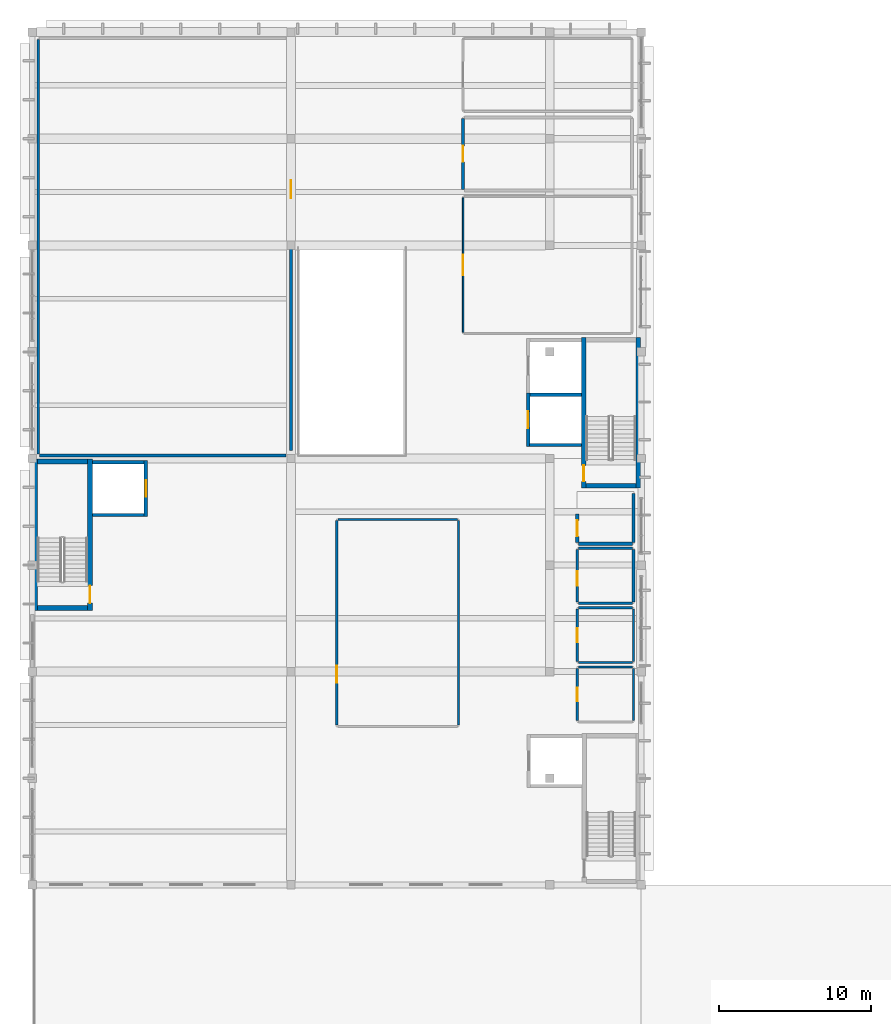
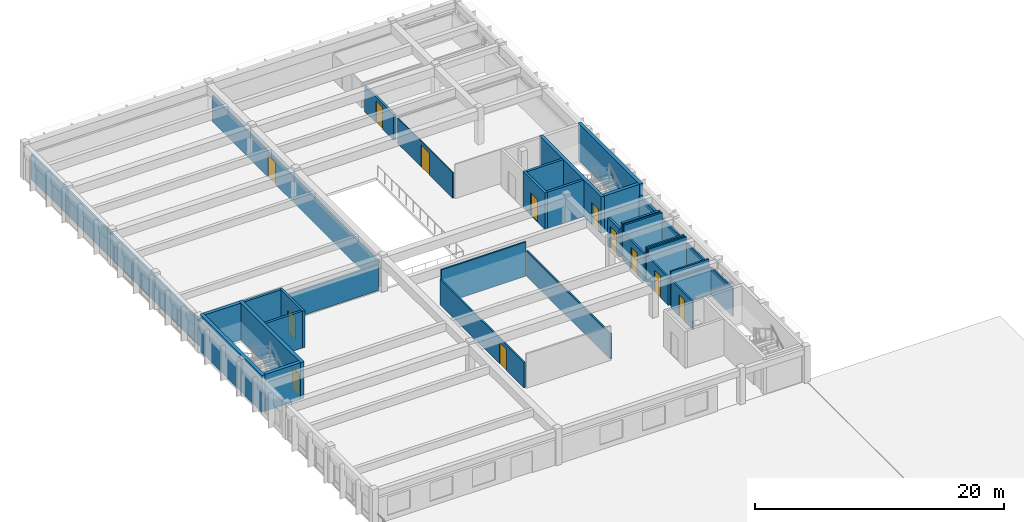
# One storey, part 16 of 23: 35 walls, 12 doors, 12 openings.
"""IFC4 building model written with IfcOpenShell, lengths in metres."""

import ifcopenshell
import ifcopenshell.guid

model = None  # the IFC model being written
_history = None  # IfcOwnerHistory: only IFC2X3 demands one
_inside = {}  # id of a spatial element -> (the spatial element, [elements in it])
_under = {}  # id of a project, library or spatial element -> (it, [spatial elements below it])
_declared = {}  # id of a project -> (the project, [libraries it declares])
_typed = {}  # id of a type object -> (the type object, [elements of that type])
_made_of = {}  # id of a material, layer set ... -> (it, [elements and type objects made of it])


def new_model(schema):
    """Start an empty IFC model of exactly this schema.

    Asked for "IFC4X3", IfcOpenShell would pick the latest addendum, in which some entities
    have other attributes; the version numbers below select the first issue.
    IFC2X3 requires an IfcOwnerHistory on every rooted entity: one is made here for all.
    """
    global model, _history
    if schema == "IFC4X3":
        model = ifcopenshell.file(schema_version=(4, 3, 0, 0))
    else:
        model = ifcopenshell.file(schema=schema)
    _inside.clear()
    _under.clear()
    _declared.clear()
    _typed.clear()
    _made_of.clear()
    _history = None
    if model.schema == "IFC2X3":
        org = make("IfcOrganization", Name="unknown")
        user = make(
            "IfcPersonAndOrganization",
            ThePerson=make("IfcPerson", FamilyName="unknown"),
            TheOrganization=org,
        )
        app = make(
            "IfcApplication",
            ApplicationDeveloper=org,
            Version="unknown",
            ApplicationFullName="unknown",
            ApplicationIdentifier="unknown",
        )
        _history = make(
            "IfcOwnerHistory",
            OwningUser=user,
            OwningApplication=app,
            ChangeAction="ADDED",
            CreationDate=0,
        )
    return model


def make(cls, **values):
    """One entity of the class cls with the attributes given. An attribute that is None is left unset."""
    return model.create_entity(
        cls, **{name: value for name, value in values.items() if value is not None}
    )


def rooted(cls, **values):
    """An entity with a GlobalId (a new one), such as an element, a storey or a relation."""
    return make(cls, GlobalId=ifcopenshell.guid.new(), OwnerHistory=_history, **values)


def si_unit(unit_type, name, prefix=None):
    """IfcSIUnit, for example si_unit("LENGTHUNIT", "METRE", prefix="MILLI")."""
    return make("IfcSIUnit", UnitType=unit_type, Prefix=prefix, Name=name)


def assignment(units):
    """IfcUnitAssignment: the units of a project."""
    return None if units is None else make("IfcUnitAssignment", Units=units)


def point(xyz):
    """IfcCartesianPoint."""
    return None if xyz is None else make("IfcCartesianPoint", Coordinates=xyz)


def direction(xyz):
    """IfcDirection."""
    return None if xyz is None else make("IfcDirection", DirectionRatios=xyz)


def frame(location, z_axis=None, x_axis=None):
    """IfcAxis2Placement3D, a coordinate frame: its origin and axes. An axis left out is left unset."""
    return make(
        "IfcAxis2Placement3D",
        Location=point(location),
        Axis=direction(z_axis),
        RefDirection=direction(x_axis),
    )


def frame_2d(location, x_axis=None):
    """IfcAxis2Placement2D, a coordinate frame in the plane: its origin and x axis."""
    return make(
        "IfcAxis2Placement2D", Location=point(location), RefDirection=direction(x_axis)
    )


def origin():
    """The frame at (0, 0, 0) with its axes left unset."""
    return frame((0.0, 0.0, 0.0))


def place(relative_to, where):
    """IfcLocalPlacement: puts the frame where relative to a parent placement (None: the world)."""
    return make(
        "IfcLocalPlacement", PlacementRelTo=relative_to, RelativePlacement=where
    )


def context(
    kind, dimensions, precision=None, world=None, true_north=None, identifier=None
):
    """IfcGeometricRepresentationContext, for example the 3D "Model" context."""
    return make(
        "IfcGeometricRepresentationContext",
        ContextIdentifier=identifier,
        ContextType=kind,
        CoordinateSpaceDimension=dimensions,
        Precision=precision,
        WorldCoordinateSystem=world,
        TrueNorth=true_north,
    )


def subcontext(parent, identifier, kind, view, scale=None):
    """IfcGeometricRepresentationSubContext, for example "Body" below "Model"."""
    return make(
        "IfcGeometricRepresentationSubContext",
        ContextIdentifier=identifier,
        ContextType=kind,
        ParentContext=parent,
        TargetScale=scale,
        TargetView=view,
    )


def project(units=None, contexts=None):
    """IfcProject with its units and contexts."""
    return rooted(
        "IfcProject",
        Name="project",
        RepresentationContexts=contexts,
        UnitsInContext=assignment(units),
    )


def spatial(cls, under=None, at=None, **own):
    """A site, building, storey or space (cls), placed at a placement, below another one or the project."""
    s = rooted(cls, ObjectPlacement=at, **own)
    if under is not None:
        _under.setdefault(under.id(), (under, []))[1].append(s)
    return s


def profile(cls, at=None, kind="AREA", **sizes):
    """A parametric profile (cls). Its sizes go by their IFC names, for example OverallWidth=200.0."""
    return make(cls, ProfileType=kind, Position=at, **sizes)


def rectangle(**sizes):
    """IfcRectangleProfileDef."""
    return profile("IfcRectangleProfileDef", **sizes)


def extrude(swept, where, along, depth):
    """IfcExtrudedAreaSolid: the profile swept, set in the frame where, extruded along a direction by depth."""
    return make(
        "IfcExtrudedAreaSolid",
        SweptArea=swept,
        Position=where,
        ExtrudedDirection=direction(along),
        Depth=depth,
    )


def shape(context_of_items, identifier, shape_type, items):
    """IfcShapeRepresentation: the items that make up one representation, for example the "Body"."""
    return make(
        "IfcShapeRepresentation",
        ContextOfItems=context_of_items,
        RepresentationIdentifier=identifier,
        RepresentationType=shape_type,
        Items=items,
    )


def material(Name=None, Category=None):
    """IfcMaterial."""
    return make("IfcMaterial", Name=Name, Category=Category)


def layer(
    of_material, thickness, ventilated=None, Name=None, Category=None, Priority=None
):
    """IfcMaterialLayer: one layer of a wall or slab, of a material (None: an air gap)."""
    return make(
        "IfcMaterialLayer",
        Material=of_material,
        LayerThickness=thickness,
        IsVentilated=ventilated,
        Name=Name,
        Category=Category,
        Priority=Priority,
    )


def layer_set(layers, Name=None):
    """IfcMaterialLayerSet."""
    return make("IfcMaterialLayerSet", MaterialLayers=layers, LayerSetName=Name)


def made_of(thing, what):
    """Note that an element or type object is made of a material, layer set ...; save() writes the relation."""
    if what is not None:
        _made_of.setdefault(what.id(), (what, []))[1].append(thing)
    return thing


def type_object(cls, material=None, **own):
    """A type object (cls), such as IfcWallType, which elements share."""
    return made_of(rooted(cls, **own), material)


def element(
    cls,
    number,
    at=None,
    inside=None,
    cuts=None,
    type_object=None,
    material=None,
    context=None,
    identifier="Body",
    shape_type=None,
    held_by="IfcProductDefinitionShape",
    body=None,
    shapes=None,
    **own,
):
    """One element of the class cls, such as IfcWall. Its Tag is "e" and its number.

    at: its placement. inside: the storey or other place that contains it. cuts: it is an
    opening in that element (IfcRelVoidsElement). A single representation is given by context,
    identifier, shape_type and body (its items); several are given by shapes. held_by: the class
    of the entity that holds the representations. save() writes the other relations.
    """
    e = rooted(cls, Tag="e%d" % number, ObjectPlacement=at, **own)
    if body is not None:
        shapes = [shape(context, identifier, shape_type, body)]
    if shapes is not None:
        e.Representation = make(held_by, Representations=shapes)
    if inside is not None:
        _inside.setdefault(inside.id(), (inside, []))[1].append(e)
    if cuts is not None:
        rooted(
            "IfcRelVoidsElement", RelatingBuildingElement=cuts, RelatedOpeningElement=e
        )
    if type_object is not None:
        _typed.setdefault(type_object.id(), (type_object, []))[1].append(e)
    return made_of(e, material)


def fill(opening, filler):
    """IfcRelFillsElement: the door or window that sits in an opening."""
    return rooted(
        "IfcRelFillsElement",
        RelatingOpeningElement=opening,
        RelatedBuildingElement=filler,
    )


def aggregate(whole, parts):
    """IfcRelAggregates: a whole, such as a stair, and the parts it consists of."""
    return rooted("IfcRelAggregates", RelatingObject=whole, RelatedObjects=parts)


def save(model, path):
    """Write the relations noted so far, then the file.

    IfcRelAggregates (storeys below a building ...), IfcRelContainedInSpatialStructure (elements
    in a storey), IfcRelDefinesByType, IfcRelAssociatesMaterial and IfcRelDeclares: one each for
    every whole, place, type object, material and project.
    """
    for whole, parts in _under.values():
        aggregate(whole, parts)
    for where, things in _inside.values():
        rooted(
            "IfcRelContainedInSpatialStructure",
            RelatedElements=things,
            RelatingStructure=where,
        )
    for kind, things in _typed.values():
        rooted("IfcRelDefinesByType", RelatedObjects=things, RelatingType=kind)
    for what, things in _made_of.values():
        rooted("IfcRelAssociatesMaterial", RelatedObjects=things, RelatingMaterial=what)
    for by, libraries in _declared.values():
        rooted("IfcRelDeclares", RelatingContext=by, RelatedDefinitions=libraries)
    model.write(path)


model = new_model("IFC4")

# Units and contexts
model_context = context("Model", 3, precision=1e-05, world=origin(), true_north=direction((0.0, 1.0)))
body_context = subcontext(model_context, "Body", "Model", "MODEL_VIEW")
ifc_project = project(units=[si_unit("LENGTHUNIT", "METRE"), si_unit("AREAUNIT", "SQUARE_METRE"), si_unit("VOLUMEUNIT", "CUBIC_METRE"), si_unit("PLANEANGLEUNIT", "RADIAN"), si_unit("MASSUNIT", "GRAM", prefix="KILO")], contexts=[model_context])

# Site, building, storey
site_placement = place(None, origin())
site = spatial("IfcSite", under=ifc_project, at=site_placement, CompositionType="ELEMENT")
building_placement = place(site_placement, origin())
building = spatial("IfcBuilding", under=site, at=building_placement, Name="Larkveld Mobility Hub", CompositionType="ELEMENT")
storey_placement = place(building_placement, frame((0.0, 0.0, 19.199951171875)))
storey = spatial("IfcBuildingStorey", under=building, at=storey_placement, Name="L05", CompositionType="ELEMENT", Elevation=19.199951171875)

# Wall, opening, door
ifc_material_1 = material(Name="Concrete blockwork masonry 14 MPa", Category="masonry")
ifc_layer_1 = layer(ifc_material_1, 0.10009765625, Name="Concrete blockwork masonry 14 MPa", Category="masonry")
ifc_layer_set_1 = layer_set([ifc_layer_1], Name="Concrete blockwork masonry 14 MPa")
wall_type_1 = type_object("IfcWallType", Name="WL-PRT-100", PredefinedType="PARTITIONING", material=ifc_layer_set_1)
wall_1_placement = place(storey_placement, frame((140.300048828125, 64.280029296875, 0.0), z_axis=(0.0, 0.0, 1.0), x_axis=(0.0, 1.0, 0.0)))
wall_1 = element("IfcWall", 1, at=wall_1_placement, inside=storey, type_object=wall_type_1, Name="Community Aerobic and Fitness Studio Partition 0265", PredefinedType="PARTITIONING", context=body_context, shape_type="SweptSolid", body=[
    extrude(rectangle(XDim=8.8349609375, YDim=0.10009765625, at=frame_2d((4.41748046875, 0.0))), origin(), (0.0, 0.0, 1.0), 2.4951171875),
])
opening_1_placement = place(wall_1_placement, frame((3.741943359375, 0.0, 0.0)))
opening_1 = element("IfcOpeningElement", 2, at=opening_1_placement, cuts=wall_1, Name="Opening DI07", PredefinedType="OPENING", context=body_context, shape_type="SweptSolid", body=[
    extrude(rectangle(XDim=1.35009765625, YDim=2.14990234375, at=frame_2d((0.675048828125, 1.074951171875))), frame((0.0, 0.06005859375, 0.0), z_axis=(0.0, -1.0, 0.0), x_axis=(1.0, 0.0, 0.0)), (0.0, 0.0, 1.0), 0.1201171875),
])
ifc_material_2 = material(Name="Solid-core hardwood timber door in aluminium frame", Category="wood")
door_type_1 = type_object("IfcDoorType", Name="DR-INT-135", OperationType="NOTDEFINED", PredefinedType="DOOR", material=ifc_material_2)
door_1_placement = place(opening_1_placement, origin())
door_1 = element("IfcDoor", 3, at=door_1_placement, inside=storey, type_object=door_type_1, Name="Community Aerobic and Fitness Studio Door 0067", OperationType="SINGLE_SWING_RIGHT", OverallHeight=2.14990234375, OverallWidth=1.35009765625, PredefinedType="DOOR", context=body_context, shape_type="SweptSolid", body=[
    extrude(rectangle(XDim=1.35009765625, YDim=2.14990234375, at=frame_2d((0.675048828125, 1.074951171875))), frame((0.0, 0.02490234375, 0.0), z_axis=(0.0, -1.0, 0.0), x_axis=(1.0, 0.0, 0.0)), (0.0, 0.0, 1.0), 0.050048828125),
])
fill(opening_1, door_1)

# Wall
ifc_layer_2 = layer(ifc_material_1, 0.139892578125, Name="Concrete blockwork masonry 14 MPa", Category="masonry")
ifc_layer_set_2 = layer_set([ifc_layer_2], Name="Concrete blockwork masonry 14 MPa")
wall_type_2 = type_object("IfcWallType", Name="WL-PRT-140", PredefinedType="PARTITIONING", material=ifc_layer_set_2)
wall_2_placement = place(storey_placement, frame((147.8798828125, 42.2939453125, 0.0), z_axis=(0.0, 0.0, 1.0), x_axis=(1.0, 0.0, 0.0)))
element("IfcWall", 4, at=wall_2_placement, inside=storey, type_object=wall_type_2, Name="Male Public Toilet Partition 0241", PredefinedType="PARTITIONING", context=body_context, shape_type="SweptSolid", body=[
    extrude(rectangle(XDim=3.5341796875, YDim=0.139892578125, at=frame_2d((1.76708984375, 0.0))), origin(), (0.0, 0.0, 1.0), 2.7451171875),
])

# Wall, opening, door
wall_3_placement = place(storey_placement, frame((147.800048828125, 38.780029296875, 0.0), z_axis=(0.0, 0.0, 1.0), x_axis=(0.0, 1.0, 0.0)))
wall_3 = element("IfcWall", 5, at=wall_3_placement, inside=storey, type_object=wall_type_2, Name="Male Public Toilet Partition 0242", PredefinedType="PARTITIONING", context=body_context, shape_type="SweptSolid", body=[
    extrude(rectangle(XDim=3.43408203125, YDim=0.139892578125, at=frame_2d((1.717041015625, 0.0))), origin(), (0.0, 0.0, 1.0), 2.7451171875),
])
opening_2_placement = place(wall_3_placement, frame((1.26708984375, 0.0, 0.0)))
opening_2 = element("IfcOpeningElement", 6, at=opening_2_placement, cuts=wall_3, Name="Opening DI01", PredefinedType="OPENING", context=body_context, shape_type="SweptSolid", body=[
    extrude(rectangle(XDim=0.89990234375, YDim=2.10009765625, at=frame_2d((0.449951171875, 1.050048828125))), frame((0.0, 0.080078125, 0.0), z_axis=(0.0, -1.0, 0.0), x_axis=(1.0, 0.0, 0.0)), (0.0, 0.0, 1.0), 0.159912109375),
])
door_type_2 = type_object("IfcDoorType", Name="DR-INT-090", OperationType="NOTDEFINED", PredefinedType="DOOR", material=ifc_material_2)
door_2_placement = place(opening_2_placement, origin())
door_2 = element("IfcDoor", 7, at=door_2_placement, inside=storey, type_object=door_type_2, Name="Male Public Toilet Door 0061", OperationType="SINGLE_SWING_RIGHT", OverallHeight=2.10009765625, OverallWidth=0.89990234375, PredefinedType="DOOR", context=body_context, shape_type="SweptSolid", body=[
    extrude(rectangle(XDim=0.89990234375, YDim=2.10009765625, at=frame_2d((0.449951171875, 1.050048828125))), frame((0.0, 0.02490234375, 0.0), z_axis=(0.0, -1.0, 0.0), x_axis=(1.0, 0.0, 0.0)), (0.0, 0.0, 1.0), 0.050048828125),
])
fill(opening_2, door_2)

# Walls
wall_4_placement = place(storey_placement, frame((151.493896484375, 38.780029296875, 0.0), z_axis=(0.0, 0.0, 1.0), x_axis=(0.0, 1.0, 0.0)))
element("IfcWall", 8, at=wall_4_placement, inside=storey, type_object=wall_type_2, Name="Male Public Toilet Partition 0243", PredefinedType="PARTITIONING", context=body_context, shape_type="SweptSolid", body=[
    extrude(rectangle(XDim=3.43408203125, YDim=0.139892578125, at=frame_2d((1.717041015625, 0.0))), origin(), (0.0, 0.0, 1.0), 2.7451171875),
])
wall_5_placement = place(storey_placement, frame((132.080078125, 52.0, 0.0), z_axis=(0.0, 0.0, 1.0), x_axis=(1.0, 0.0, 0.0)))
element("IfcWall", 9, at=wall_5_placement, inside=storey, type_object=wall_type_2, Name="Sports Equipment Rental Shop Partition 0256", PredefinedType="PARTITIONING", context=body_context, shape_type="SweptSolid", body=[
    extrude(rectangle(XDim=7.83984375, YDim=0.139892578125, at=frame_2d((3.919921875, 0.0))), origin(), (0.0, 0.0, 1.0), 3.344970703125),
])

# Wall, opening, door
wall_6_placement = place(storey_placement, frame((132.0, 38.47998046875, 0.0), z_axis=(0.0, 0.0, 1.0), x_axis=(0.0, 1.0, 0.0)))
wall_6 = element("IfcWall", 10, at=wall_6_placement, inside=storey, type_object=wall_type_2, Name="Sports Equipment Rental Shop Partition 0257", PredefinedType="PARTITIONING", context=body_context, shape_type="SweptSolid", body=[
    extrude(rectangle(XDim=13.43994140625, YDim=0.139892578125, at=frame_2d((6.719970703125, 0.0))), origin(), (0.0, 0.0, 1.0), 2.4951171875),
])
opening_3_placement = place(wall_6_placement, frame((2.799072265625, 0.0, 0.0)))
opening_3 = element("IfcOpeningElement", 11, at=opening_3_placement, cuts=wall_6, Name="Opening DI05", PredefinedType="OPENING", context=body_context, shape_type="SweptSolid", body=[
    extrude(rectangle(XDim=1.10009765625, YDim=2.10009765625, at=frame_2d((0.550048828125, 1.050048828125))), frame((0.0, 0.080078125, 0.0), z_axis=(0.0, -1.0, 0.0), x_axis=(1.0, 0.0, 0.0)), (0.0, 0.0, 1.0), 0.159912109375),
])
door_type_3 = type_object("IfcDoorType", Name="DR-INT-110", OperationType="NOTDEFINED", PredefinedType="DOOR", material=ifc_material_2)
door_3_placement = place(opening_3_placement, origin())
door_3 = element("IfcDoor", 12, at=door_3_placement, inside=storey, type_object=door_type_3, Name="Sports Equipment Rental Shop Door 0065", OperationType="SINGLE_SWING_RIGHT", OverallHeight=2.10009765625, OverallWidth=1.10009765625, PredefinedType="DOOR", context=body_context, shape_type="SweptSolid", body=[
    extrude(rectangle(XDim=1.10009765625, YDim=2.10009765625, at=frame_2d((0.550048828125, 1.050048828125))), frame((0.0, 0.02490234375, 0.0), z_axis=(0.0, -1.0, 0.0), x_axis=(1.0, 0.0, 0.0)), (0.0, 0.0, 1.0), 0.050048828125),
])
fill(opening_3, door_3)

# Walls
wall_7_placement = place(storey_placement, frame((140.0, 38.47998046875, 0.0), z_axis=(0.0, 0.0, 1.0), x_axis=(0.0, 1.0, 0.0)))
element("IfcWall", 13, at=wall_7_placement, inside=storey, type_object=wall_type_2, Name="Sports Equipment Rental Shop Partition 0258", PredefinedType="PARTITIONING", context=body_context, shape_type="SweptSolid", body=[
    extrude(rectangle(XDim=13.43994140625, YDim=0.139892578125, at=frame_2d((6.719970703125, 0.0))), origin(), (0.0, 0.0, 1.0), 2.4951171875),
])
ifc_layer_3 = layer(ifc_material_1, 0.14990234375, Name="Concrete blockwork masonry 14 MPa", Category="masonry")
ifc_layer_set_3 = layer_set([ifc_layer_3], Name="Concrete blockwork masonry 14 MPa")
wall_type_3 = type_object("IfcWallType", Name="WL-PRT-150", PredefinedType="PARTITIONING", material=ifc_layer_set_3)
for number, where, z_axis, x_axis, name in (
    (14, (147.8798828125, 42.60009765625, 0.0), (0.0, 0.0, 1.0), (1.0, 0.0, 0.0), "Female Public Toilet Partition 0244"),
    (15, (147.8798828125, 46.194091796875, 0.0), (0.0, 0.0, 1.0), (1.0, 0.0, 0.0), "Female Public Toilet Partition 0245"),
):
    element("IfcWall", number, at=place(storey_placement, frame(where, z_axis=z_axis, x_axis=x_axis)), inside=storey, type_object=wall_type_3, Name=name, PredefinedType="PARTITIONING", context=body_context, shape_type="SweptSolid", body=[
        extrude(rectangle(XDim=3.5341796875, YDim=0.14990234375, at=frame_2d((1.76708984375, 0.0))), origin(), (0.0, 0.0, 1.0), 3.344970703125),
    ])

# Wall, opening, door
wall_8_placement = place(storey_placement, frame((147.800048828125, 42.679931640625, 0.0), z_axis=(0.0, 0.0, 1.0), x_axis=(0.0, 1.0, 0.0)))
wall_8 = element("IfcWall", 16, at=wall_8_placement, inside=storey, type_object=wall_type_3, Name="Female Public Toilet Partition 0246", PredefinedType="PARTITIONING", context=body_context, shape_type="SweptSolid", body=[
    extrude(rectangle(XDim=3.43408203125, YDim=0.14990234375, at=frame_2d((1.717041015625, 0.0))), origin(), (0.0, 0.0, 1.0), 2.755126953125),
])
opening_4_placement = place(wall_8_placement, frame((1.26708984375, 0.0, 0.0)))
opening_4 = element("IfcOpeningElement", 17, at=opening_4_placement, cuts=wall_8, Name="Opening DI01", PredefinedType="OPENING", context=body_context, shape_type="SweptSolid", body=[
    extrude(rectangle(XDim=0.89990234375, YDim=2.10009765625, at=frame_2d((0.449951171875, 1.050048828125))), frame((0.0, 0.0849609375, 0.0), z_axis=(0.0, -1.0, 0.0), x_axis=(1.0, 0.0, 0.0)), (0.0, 0.0, 1.0), 0.169921875),
])
door_4_placement = place(opening_4_placement, origin())
door_4 = element("IfcDoor", 18, at=door_4_placement, inside=storey, type_object=door_type_2, Name="Female Public Toilet Door 0062", OperationType="SINGLE_SWING_LEFT", OverallHeight=2.10009765625, OverallWidth=0.89990234375, PredefinedType="DOOR", context=body_context, shape_type="SweptSolid", body=[
    extrude(rectangle(XDim=0.89990234375, YDim=2.10009765625, at=frame_2d((0.449951171875, 1.050048828125))), frame((0.0, 0.02490234375, 0.0), z_axis=(0.0, -1.0, 0.0), x_axis=(1.0, 0.0, 0.0)), (0.0, 0.0, 1.0), 0.050048828125),
])
fill(opening_4, door_4)

# Walls
wall_9_placement = place(storey_placement, frame((151.493896484375, 42.679931640625, 0.0), z_axis=(0.0, 0.0, 1.0), x_axis=(0.0, 1.0, 0.0)))
element("IfcWall", 19, at=wall_9_placement, inside=storey, type_object=wall_type_3, Name="Female Public Toilet Partition 0247", PredefinedType="PARTITIONING", context=body_context, shape_type="SweptSolid", body=[
    extrude(rectangle(XDim=3.43408203125, YDim=0.14990234375, at=frame_2d((1.717041015625, 0.0))), origin(), (0.0, 0.0, 1.0), 2.755126953125),
])
ifc_layer_4 = layer(ifc_material_1, 0.1650390625, Name="Concrete blockwork masonry 14 MPa", Category="masonry")
ifc_layer_set_4 = layer_set([ifc_layer_4], Name="Concrete blockwork masonry 14 MPa")
wall_type_4 = type_object("IfcWallType", Name="WL-PRT-165", PredefinedType="PARTITIONING", material=ifc_layer_set_4)
for number, where, z_axis, x_axis, name in (
    (20, (147.8798828125, 46.5, 0.0), (0.0, 0.0, 1.0), (1.0, 0.0, 0.0), "Accessible Unisex Toilet Partition 0248"),
    (21, (147.8798828125, 50.093994140625, 0.0), (0.0, 0.0, 1.0), (1.0, 0.0, 0.0), "Accessible Unisex Toilet Partition 0249"),
):
    element("IfcWall", number, at=place(storey_placement, frame(where, z_axis=z_axis, x_axis=x_axis)), inside=storey, type_object=wall_type_4, Name=name, PredefinedType="PARTITIONING", context=body_context, shape_type="SweptSolid", body=[
        extrude(rectangle(XDim=3.5341796875, YDim=0.1650390625, at=frame_2d((1.76708984375, 0.0))), origin(), (0.0, 0.0, 1.0), 3.344970703125),
    ])

# Wall, opening, door
wall_10_placement = place(storey_placement, frame((147.800048828125, 46.580078125, 0.0), z_axis=(0.0, 0.0, 1.0), x_axis=(0.0, 1.0, 0.0)))
wall_10 = element("IfcWall", 22, at=wall_10_placement, inside=storey, type_object=wall_type_4, Name="Accessible Unisex Toilet Partition 0250", PredefinedType="PARTITIONING", context=body_context, shape_type="SweptSolid", body=[
    extrude(rectangle(XDim=3.433837890625, YDim=0.1650390625, at=frame_2d((1.716796875, 0.0))), origin(), (0.0, 0.0, 1.0), 2.7451171875),
])
opening_5_placement = place(wall_10_placement, frame((1.06689453125, 0.0, 0.0)))
opening_5 = element("IfcOpeningElement", 23, at=opening_5_placement, cuts=wall_10, Name="Opening DI02", PredefinedType="OPENING", context=body_context, shape_type="SweptSolid", body=[
    extrude(rectangle(XDim=0.949951171875, YDim=2.10009765625, at=frame_2d((0.47509765625, 1.050048828125))), frame((0.0, 0.092529296875, 0.0), z_axis=(0.0, -1.0, 0.0), x_axis=(1.0, 0.0, 0.0)), (0.0, 0.0, 1.0), 0.18505859375),
])
door_type_4 = type_object("IfcDoorType", Name="DR-INT-095", OperationType="NOTDEFINED", PredefinedType="DOOR", material=ifc_material_2)
door_5_placement = place(opening_5_placement, origin())
door_5 = element("IfcDoor", 24, at=door_5_placement, inside=storey, type_object=door_type_4, Name="Accessible Unisex Toilet Door 0063", OperationType="SINGLE_SWING_RIGHT", OverallHeight=2.10009765625, OverallWidth=0.949951171875, PredefinedType="DOOR", context=body_context, shape_type="SweptSolid", body=[
    extrude(rectangle(XDim=0.949951171875, YDim=2.10009765625, at=frame_2d((0.47509765625, 1.050048828125))), frame((0.0, 0.02490234375, 0.0), z_axis=(0.0, -1.0, 0.0), x_axis=(1.0, 0.0, 0.0)), (0.0, 0.0, 1.0), 0.050048828125),
])
fill(opening_5, door_5)

# Walls
wall_11_placement = place(storey_placement, frame((151.493896484375, 46.580078125, 0.0), z_axis=(0.0, 0.0, 1.0), x_axis=(0.0, 1.0, 0.0)))
element("IfcWall", 25, at=wall_11_placement, inside=storey, type_object=wall_type_4, Name="Accessible Unisex Toilet Partition 0251", PredefinedType="PARTITIONING", context=body_context, shape_type="SweptSolid", body=[
    extrude(rectangle(XDim=3.433837890625, YDim=0.1650390625, at=frame_2d((1.716796875, 0.0))), origin(), (0.0, 0.0, 1.0), 2.7451171875),
])
ifc_layer_5 = layer(ifc_material_1, 0.175048828125, Name="Concrete blockwork masonry 14 MPa", Category="masonry")
ifc_layer_set_5 = layer_set([ifc_layer_5], Name="Concrete blockwork masonry 14 MPa")
wall_type_5 = type_object("IfcWallType", Name="WL-PRT-175", PredefinedType="PARTITIONING", material=ifc_layer_set_5)
wall_12_placement = place(storey_placement, frame((112.47998046875, 56.199951171875, 0.0), z_axis=(0.0, 0.0, 1.0), x_axis=(1.0, 0.0, 0.0)))
element("IfcWall", 26, at=wall_12_placement, inside=storey, type_object=wall_type_5, Name="Indoor Community Multi-Sport Hall Partition 0259", PredefinedType="PARTITIONING", context=body_context, shape_type="SweptSolid", body=[
    extrude(rectangle(XDim=16.201904296875, YDim=0.175048828125, at=frame_2d((8.10107421875, 0.0))), origin(), (0.0, 0.0, 1.0), 2.4951171875),
])
wall_13_placement = place(storey_placement, frame((112.39990234375, 56.280029296875, 0.0), z_axis=(0.0, 0.0, 1.0), x_axis=(0.0, 1.0, 0.0)))
element("IfcWall", 27, at=wall_13_placement, inside=storey, type_object=wall_type_5, Name="Indoor Community Multi-Sport Hall Partition 0261", PredefinedType="PARTITIONING", context=body_context, shape_type="SweptSolid", body=[
    extrude(rectangle(XDim=27.237060546875, YDim=0.175048828125, at=frame_2d((13.61865234375, 0.0))), origin(), (0.0, 0.0, 1.0), 2.4951171875),
])

# Wall, opening, door
wall_14_placement = place(storey_placement, frame((128.9970703125, 56.514892578125, 0.0), z_axis=(0.0, 0.0, 1.0), x_axis=(0.0, 1.0, 0.0)))
wall_14 = element("IfcWall", 28, at=wall_14_placement, inside=storey, type_object=wall_type_5, Name="Indoor Community Multi-Sport Hall Partition 0262", PredefinedType="PARTITIONING", context=body_context, shape_type="SweptSolid", body=[
    extrude(rectangle(XDim=26.76708984375, YDim=0.175048828125, at=frame_2d((13.383544921875, 0.0))), origin(), (0.0, 0.0, 1.0), 2.4951171875),
])
opening_6_placement = place(wall_14_placement, frame((16.573974609375, 0.0, 0.0)))
opening_6 = element("IfcOpeningElement", 29, at=opening_6_placement, cuts=wall_14, Name="Opening DI06", PredefinedType="OPENING", context=body_context, shape_type="SweptSolid", body=[
    extrude(rectangle(XDim=1.199951171875, YDim=2.14990234375, at=frame_2d((0.60009765625, 1.074951171875))), frame((0.0, 0.09765625, 0.0), z_axis=(0.0, -1.0, 0.0), x_axis=(1.0, 0.0, 0.0)), (0.0, 0.0, 1.0), 0.195068359375),
])
door_type_5 = type_object("IfcDoorType", Name="DR-INT-120", OperationType="NOTDEFINED", PredefinedType="DOOR", material=ifc_material_2)
door_6_placement = place(opening_6_placement, origin())
door_6 = element("IfcDoor", 30, at=door_6_placement, inside=storey, type_object=door_type_5, Name="Indoor Community Multi-Sport Hall Door 0066", OperationType="SINGLE_SWING_LEFT", OverallHeight=2.14990234375, OverallWidth=1.199951171875, PredefinedType="DOOR", context=body_context, shape_type="SweptSolid", body=[
    extrude(rectangle(XDim=1.199951171875, YDim=2.14990234375, at=frame_2d((0.60009765625, 1.074951171875))), frame((0.0, 0.02490234375, 0.0), z_axis=(0.0, -1.0, 0.0), x_axis=(1.0, 0.0, 0.0)), (0.0, 0.0, 1.0), 0.050048828125),
])
fill(opening_6, door_6)

# Wall
ifc_layer_6 = layer(ifc_material_1, 0.2099609375, Name="Concrete blockwork masonry 14 MPa", Category="masonry")
ifc_layer_set_6 = layer_set([ifc_layer_6], Name="Concrete blockwork masonry 14 MPa")
wall_type_6 = type_object("IfcWallType", Name="WL-PRT-210", PredefinedType="PARTITIONING", material=ifc_layer_set_6)
wall_15_placement = place(storey_placement, frame((147.8798828125, 50.39990234375, 0.0), z_axis=(0.0, 0.0, 1.0), x_axis=(1.0, 0.0, 0.0)))
element("IfcWall", 31, at=wall_15_placement, inside=storey, type_object=wall_type_6, Name="Cleaners Store Room Partition 0252", PredefinedType="PARTITIONING", context=body_context, shape_type="SweptSolid", body=[
    extrude(rectangle(XDim=3.5341796875, YDim=0.2099609375, at=frame_2d((1.76708984375, 0.0))), origin(), (0.0, 0.0, 1.0), 3.344970703125),
])

# Wall, opening, door
wall_16_placement = place(storey_placement, frame((147.800048828125, 50.47998046875, 0.0), z_axis=(0.0, 0.0, 1.0), x_axis=(0.0, 1.0, 0.0)))
wall_16 = element("IfcWall", 32, at=wall_16_placement, inside=storey, type_object=wall_type_6, Name="Cleaners Store Room Partition 0253", PredefinedType="PARTITIONING", context=body_context, shape_type="SweptSolid", body=[
    extrude(rectangle(XDim=1.864013671875, YDim=0.2099609375, at=frame_2d((0.93212890625, 0.0))), origin(), (0.0, 0.0, 1.0), 2.755126953125),
])
opening_7_placement = place(wall_16_placement, frame((0.406982421875, 0.0, 0.0)))
opening_7 = element("IfcOpeningElement", 33, at=opening_7_placement, cuts=wall_16, Name="Opening DF02", PredefinedType="OPENING", context=body_context, shape_type="SweptSolid", body=[
    extrude(rectangle(XDim=1.050048828125, YDim=2.14990234375, at=frame_2d((0.52490234375, 1.074951171875))), frame((0.0, 0.114990234375, 0.0), z_axis=(0.0, -1.0, 0.0), x_axis=(1.0, 0.0, 0.0)), (0.0, 0.0, 1.0), 0.22998046875),
])
ifc_material_3 = material(Name="Pressed Steel S355JR fire door assembly", Category="steel")
door_type_6 = type_object("IfcDoorType", Name="DR-FD60", OperationType="NOTDEFINED", PredefinedType="DOOR", material=ifc_material_3)
door_7_placement = place(opening_7_placement, origin())
door_7 = element("IfcDoor", 34, at=door_7_placement, inside=storey, type_object=door_type_6, Name="Cleaners Store Room Door 0064", OperationType="SINGLE_SWING_LEFT", OverallHeight=2.14990234375, OverallWidth=1.050048828125, PredefinedType="DOOR", context=body_context, shape_type="SweptSolid", body=[
    extrude(rectangle(XDim=1.050048828125, YDim=2.14990234375, at=frame_2d((0.52490234375, 1.074951171875))), frame((0.0, 0.02490234375, 0.0), z_axis=(0.0, -1.0, 0.0), x_axis=(1.0, 0.0, 0.0)), (0.0, 0.0, 1.0), 0.050048828125),
])
fill(opening_7, door_7)

# Wall
wall_17_placement = place(storey_placement, frame((151.493896484375, 50.47998046875, 0.0), z_axis=(0.0, 0.0, 1.0), x_axis=(0.0, 1.0, 0.0)))
element("IfcWall", 35, at=wall_17_placement, inside=storey, type_object=wall_type_6, Name="Cleaners Store Room Partition 0254", PredefinedType="PARTITIONING", context=body_context, shape_type="SweptSolid", body=[
    extrude(rectangle(XDim=3.234130859375, YDim=0.2099609375, at=frame_2d((1.6171875, 0.0))), origin(), (0.0, 0.0, 1.0), 2.755126953125),
])

# Wall, opening, door
wall_18_placement = place(storey_placement, frame((140.300048828125, 73.679931640625, 0.0), z_axis=(0.0, 0.0, 1.0), x_axis=(0.0, 1.0, 0.0)))
wall_18 = element("IfcWall", 36, at=wall_18_placement, inside=storey, type_object=wall_type_6, Name="Court Equipment and Net Store Partition 0269", PredefinedType="PARTITIONING", context=body_context, shape_type="SweptSolid", body=[
    extrude(rectangle(XDim=4.64013671875, YDim=0.2099609375, at=frame_2d((2.320068359375, 0.0))), origin(), (0.0, 0.0, 1.0), 2.4951171875),
])
opening_8_placement = place(wall_18_placement, frame((1.794921875, 0.0, 0.0)))
opening_8 = element("IfcOpeningElement", 37, at=opening_8_placement, cuts=wall_18, Name="Opening DF02", PredefinedType="OPENING", context=body_context, shape_type="SweptSolid", body=[
    extrude(rectangle(XDim=1.050048828125, YDim=2.14990234375, at=frame_2d((0.52490234375, 1.074951171875))), frame((0.0, 0.114990234375, 0.0), z_axis=(0.0, -1.0, 0.0), x_axis=(1.0, 0.0, 0.0)), (0.0, 0.0, 1.0), 0.22998046875),
])
door_8_placement = place(opening_8_placement, origin())
door_8 = element("IfcDoor", 38, at=door_8_placement, inside=storey, type_object=door_type_6, Name="Court Equipment and Net Store Door 0068", OperationType="SINGLE_SWING_LEFT", OverallHeight=2.14990234375, OverallWidth=1.050048828125, PredefinedType="DOOR", context=body_context, shape_type="SweptSolid", body=[
    extrude(rectangle(XDim=1.050048828125, YDim=2.14990234375, at=frame_2d((0.52490234375, 1.074951171875))), frame((0.0, 0.02490234375, 0.0), z_axis=(0.0, -1.0, 0.0), x_axis=(1.0, 0.0, 0.0)), (0.0, 0.0, 1.0), 0.050048828125),
])
fill(opening_8, door_8)

ifc_material_4 = material(Name="Concrete C40/50", Category="concrete")
ifc_layer_7 = layer(ifc_material_4, 0.219970703125, Name="Concrete C40/50", Category="concrete")
ifc_layer_set_7 = layer_set([ifc_layer_7], Name="Concrete C40/50")
wall_type_7 = type_object("IfcWallType", Name="WL-SHF-220", PredefinedType="SHEAR", material=ifc_layer_set_7)
wall_19_placement = place(storey_placement, frame((144.570068359375, 56.780029296875, 0.0), z_axis=(0.0, 0.0, 1.0), x_axis=(0.0, 1.0, 0.0)))
wall_19 = element("IfcWall", 39, at=wall_19_placement, inside=storey, type_object=wall_type_7, Name="Lift PL1 Shaft Wall L05-W", PredefinedType="SHEAR", context=body_context, shape_type="SweptSolid", body=[
    extrude(rectangle(XDim=3.52001953125, YDim=0.219970703125, at=frame_2d((1.760009765625, 0.0))), origin(), (0.0, 0.0, 1.0), 3.60009765625),
])
opening_9_placement = place(wall_19_placement, frame((1.2099609375, 0.0, 0.0)))
opening_9 = element("IfcOpeningElement", 40, at=opening_9_placement, cuts=wall_19, Name="Opening LD01", PredefinedType="OPENING", context=body_context, shape_type="SweptSolid", body=[
    extrude(rectangle(XDim=1.10009765625, YDim=2.199951171875, at=frame_2d((0.550048828125, 1.10009765625))), frame((0.0, 0.1201171875, 0.0), z_axis=(0.0, -1.0, 0.0), x_axis=(1.0, 0.0, 0.0)), (0.0, 0.0, 1.0), 0.239990234375),
])
ifc_material_5 = material(Name="Brushed stainless Steel S355JR sliding landing door", Category="steel")
door_type_7 = type_object("IfcDoorType", Name="DR-LD-110", OperationType="DOUBLE_DOOR_SLIDING", PredefinedType="DOOR", material=ifc_material_5)
door_9_placement = place(opening_9_placement, origin())
door_9 = element("IfcDoor", 41, at=door_9_placement, inside=storey, type_object=door_type_7, Name="Lift landing door PL1-L05", OperationType="DOUBLE_DOOR_SLIDING", OverallHeight=2.199951171875, OverallWidth=1.10009765625, PredefinedType="DOOR", context=body_context, shape_type="SweptSolid", body=[
    extrude(rectangle(XDim=1.10009765625, YDim=2.199951171875, at=frame_2d((0.550048828125, 1.10009765625))), frame((0.0, 0.02490234375, 0.0), z_axis=(0.0, -1.0, 0.0), x_axis=(1.0, 0.0, 0.0)), (0.0, 0.0, 1.0), 0.050048828125),
])
fill(opening_9, door_9)

# Walls
for number, where, z_axis, x_axis, name in (
    (42, (148.080078125, 56.889892578125, 0.0), (0.0, 0.0, 1.0), (-1.0, 0.0, 0.0), "Lift PL1 Shaft Wall L05-S"),
    (43, (144.679931640625, 60.18994140625, 0.0), (0.0, 0.0, 1.0), (1.0, 0.0, 0.0), "Lift PL1 Shaft Wall L05-N"),
):
    element("IfcWall", number, at=place(storey_placement, frame(where, z_axis=z_axis, x_axis=x_axis)), inside=storey, type_object=wall_type_7, Name=name, PredefinedType="SHEAR", context=body_context, shape_type="SweptSolid", body=[
        extrude(rectangle(XDim=3.400146484375, YDim=0.219970703125, at=frame_2d((1.7001953125, 0.0))), origin(), (0.0, 0.0, 1.0), 3.60009765625),
    ])

# Wall, opening, door
wall_20_placement = place(storey_placement, frame((119.469970703125, 55.8701171875, 0.0), z_axis=(0.0, 0.0, 1.0), x_axis=(0.0, -1.0, 0.0)))
wall_20 = element("IfcWall", 44, at=wall_20_placement, inside=storey, type_object=wall_type_7, Name="Lift PL2 Shaft Wall L05-E", PredefinedType="SHEAR", context=body_context, shape_type="SweptSolid", body=[
    extrude(rectangle(XDim=3.690185546875, YDim=0.219970703125, at=frame_2d((1.84521484375, 0.0))), origin(), (0.0, 0.0, 1.0), 3.60009765625),
])
opening_10_placement = place(wall_20_placement, frame((1.294921875, 0.0, 0.0)))
opening_10 = element("IfcOpeningElement", 45, at=opening_10_placement, cuts=wall_20, Name="Opening LD01", PredefinedType="OPENING", context=body_context, shape_type="SweptSolid", body=[
    extrude(rectangle(XDim=1.10009765625, YDim=2.199951171875, at=frame_2d((0.550048828125, 1.10009765625))), frame((0.0, 0.1201171875, 0.0), z_axis=(0.0, -1.0, 0.0), x_axis=(1.0, 0.0, 0.0)), (0.0, 0.0, 1.0), 0.239990234375),
])
door_10_placement = place(opening_10_placement, origin())
door_10 = element("IfcDoor", 46, at=door_10_placement, inside=storey, type_object=door_type_7, Name="Lift landing door PL2-L05", OperationType="DOUBLE_DOOR_SLIDING", OverallHeight=2.199951171875, OverallWidth=1.10009765625, PredefinedType="DOOR", context=body_context, shape_type="SweptSolid", body=[
    extrude(rectangle(XDim=1.10009765625, YDim=2.199951171875, at=frame_2d((0.550048828125, 1.10009765625))), frame((0.0, 0.02490234375, 0.0), z_axis=(0.0, -1.0, 0.0), x_axis=(1.0, 0.0, 0.0)), (0.0, 0.0, 1.0), 0.050048828125),
])
fill(opening_10, door_10)

# Walls
for number, where, z_axis, x_axis, name in (
    (47, (119.360107421875, 52.2900390625, 0.0), (0.0, 0.0, 1.0), (-1.0, 0.0, 0.0), "Lift PL2 Shaft Wall L05-S"),
    (48, (115.9599609375, 55.760009765625, 0.0), (0.0, 0.0, 1.0), (1.0, 0.0, 0.0), "Lift PL2 Shaft Wall L05-N"),
):
    element("IfcWall", number, at=place(storey_placement, frame(where, z_axis=z_axis, x_axis=x_axis)), inside=storey, type_object=wall_type_7, Name=name, PredefinedType="SHEAR", context=body_context, shape_type="SweptSolid", body=[
        extrude(rectangle(XDim=3.400146484375, YDim=0.219970703125, at=frame_2d((1.7001953125, 0.0))), origin(), (0.0, 0.0, 1.0), 3.60009765625),
    ])

# Wall, opening, door
ifc_layer_8 = layer(ifc_material_4, 0.300048828125, Name="Concrete C40/50", Category="concrete")
ifc_layer_set_8 = layer_set([ifc_layer_8], Name="Concrete C40/50")
wall_type_8 = type_object("IfcWallType", Name="WL-SHR-02", PredefinedType="SHEAR", material=ifc_layer_set_8)
wall_21_placement = place(storey_placement, frame((148.22998046875, 54.050048828125, 0.0), z_axis=(0.0, 0.0, 1.0), x_axis=(0.0, 1.0, 0.0)))
wall_21 = element("IfcWall", 49, at=wall_21_placement, inside=storey, type_object=wall_type_8, Name="Core C2 Stair Shear Wall L05-W", PredefinedType="SHEAR", context=body_context, shape_type="SweptSolid", body=[
    extrude(rectangle(XDim=9.89990234375, YDim=0.300048828125, at=frame_2d((4.949951171875, 0.0))), origin(), (0.0, 0.0, 1.0), 3.60009765625),
])
opening_11_placement = place(wall_21_placement, frame((0.449951171875, 0.0, 0.0)))
opening_11 = element("IfcOpeningElement", 50, at=opening_11_placement, cuts=wall_21, Name="Opening DF02", PredefinedType="OPENING", context=body_context, shape_type="SweptSolid", body=[
    extrude(rectangle(XDim=1.050048828125, YDim=2.14990234375, at=frame_2d((0.52490234375, 1.074951171875))), frame((0.0, 0.16015625, 0.0), z_axis=(0.0, -1.0, 0.0), x_axis=(1.0, 0.0, 0.0)), (0.0, 0.0, 1.0), 0.320068359375),
])
door_11_placement = place(opening_11_placement, origin())
door_11 = element("IfcDoor", 51, at=door_11_placement, inside=storey, type_object=door_type_6, Name="Stair ST2 Fire Door L05", OperationType="SINGLE_SWING_RIGHT", OverallHeight=2.14990234375, OverallWidth=1.050048828125, PredefinedType="DOOR", context=body_context, shape_type="SweptSolid", body=[
    extrude(rectangle(XDim=1.050048828125, YDim=2.14990234375, at=frame_2d((0.52490234375, 1.074951171875))), frame((0.0, 0.02490234375, 0.0), z_axis=(0.0, -1.0, 0.0), x_axis=(1.0, 0.0, 0.0)), (0.0, 0.0, 1.0), 0.050048828125),
])
fill(opening_11, door_11)

# Walls
wall_22_placement = place(storey_placement, frame((151.800048828125, 63.949951171875, 0.0), z_axis=(0.0, 0.0, 1.0), x_axis=(0.0, -1.0, 0.0)))
element("IfcWall", 52, at=wall_22_placement, inside=storey, type_object=wall_type_8, Name="Core C2 Stair Shear Wall L05-E", PredefinedType="SHEAR", context=body_context, shape_type="SweptSolid", body=[
    extrude(rectangle(XDim=9.89990234375, YDim=0.300048828125, at=frame_2d((4.949951171875, 0.0))), origin(), (0.0, 0.0, 1.0), 3.60009765625),
])
wall_23_placement = place(storey_placement, frame((151.64990234375, 54.199951171875, 0.0), z_axis=(0.0, 0.0, 1.0), x_axis=(-1.0, 0.0, 0.0)))
element("IfcWall", 53, at=wall_23_placement, inside=storey, type_object=wall_type_8, Name="Core C2 Stair Shear Wall L05-S", PredefinedType="SHEAR", context=body_context, shape_type="SweptSolid", body=[
    extrude(rectangle(XDim=3.27001953125, YDim=0.300048828125, at=frame_2d((1.635009765625, 0.0))), origin(), (0.0, 0.0, 1.0), 3.60009765625),
])
ifc_layer_9 = layer(ifc_material_4, 0.320068359375, Name="Concrete C40/50", Category="concrete")
ifc_layer_set_9 = layer_set([ifc_layer_9], Name="Concrete C40/50")
wall_type_9 = type_object("IfcWallType", Name="WL-SHR-03", PredefinedType="SHEAR", material=ifc_layer_set_9)
wall_24_placement = place(storey_placement, frame((112.18994140625, 46.030029296875, 0.0), z_axis=(0.0, 0.0, 1.0), x_axis=(0.0, 1.0, 0.0)))
element("IfcWall", 54, at=wall_24_placement, inside=storey, type_object=wall_type_9, Name="Core C3 Stair Shear Wall L05-W", PredefinedType="SHEAR", context=body_context, shape_type="SweptSolid", body=[
    extrude(rectangle(XDim=9.93994140625, YDim=0.320068359375, at=frame_2d((4.969970703125, 0.0))), origin(), (0.0, 0.0, 1.0), 3.60009765625),
])

# Wall, opening, door
wall_25_placement = place(storey_placement, frame((115.800048828125, 55.969970703125, 0.0), z_axis=(0.0, 0.0, 1.0), x_axis=(0.0, -1.0, 0.0)))
wall_25 = element("IfcWall", 55, at=wall_25_placement, inside=storey, type_object=wall_type_9, Name="Core C3 Stair Shear Wall L05-E", PredefinedType="SHEAR", context=body_context, shape_type="SweptSolid", body=[
    extrude(rectangle(XDim=9.93994140625, YDim=0.320068359375, at=frame_2d((4.969970703125, 0.0))), origin(), (0.0, 0.0, 1.0), 3.60009765625),
])
opening_12_placement = place(wall_25_placement, frame((8.320068359375, 0.0, 0.0)))
opening_12 = element("IfcOpeningElement", 56, at=opening_12_placement, cuts=wall_25, Name="Opening DF01", PredefinedType="OPENING", context=body_context, shape_type="SweptSolid", body=[
    extrude(rectangle(XDim=1.14990234375, YDim=2.14990234375, at=frame_2d((0.574951171875, 1.074951171875))), frame((0.0, 0.169921875, 0.0), z_axis=(0.0, -1.0, 0.0), x_axis=(1.0, 0.0, 0.0)), (0.0, 0.0, 1.0), 0.340087890625),
])
door_type_8 = type_object("IfcDoorType", Name="DR-FD120", OperationType="NOTDEFINED", PredefinedType="DOOR", material=ifc_material_3)
door_12_placement = place(opening_12_placement, origin())
door_12 = element("IfcDoor", 57, at=door_12_placement, inside=storey, type_object=door_type_8, Name="Stair ST3 Fire Door L05", OperationType="SINGLE_SWING_LEFT", OverallHeight=2.14990234375, OverallWidth=1.14990234375, PredefinedType="DOOR", context=body_context, shape_type="SweptSolid", body=[
    extrude(rectangle(XDim=1.14990234375, YDim=2.14990234375, at=frame_2d((0.574951171875, 1.074951171875))), frame((0.0, 0.02490234375, 0.0), z_axis=(0.0, -1.0, 0.0), x_axis=(1.0, 0.0, 0.0)), (0.0, 0.0, 1.0), 0.050048828125),
])
fill(opening_12, door_12)

# Walls
for number, where, z_axis, x_axis, name in (
    (58, (115.639892578125, 46.18994140625, 0.0), (0.0, 0.0, 1.0), (-1.0, 0.0, 0.0), "Core C3 Stair Shear Wall L05-S"),
    (59, (112.35009765625, 55.81005859375, 0.0), (0.0, 0.0, 1.0), (1.0, 0.0, 0.0), "Core C3 Stair Shear Wall L05-N"),
):
    element("IfcWall", number, at=place(storey_placement, frame(where, z_axis=z_axis, x_axis=x_axis)), inside=storey, type_object=wall_type_9, Name=name, PredefinedType="SHEAR", context=body_context, shape_type="SweptSolid", body=[
        extrude(rectangle(XDim=3.289794921875, YDim=0.320068359375, at=frame_2d((1.64501953125, 0.0))), origin(), (0.0, 0.0, 1.0), 3.60009765625),
    ])

save(model, "model.ifc")
